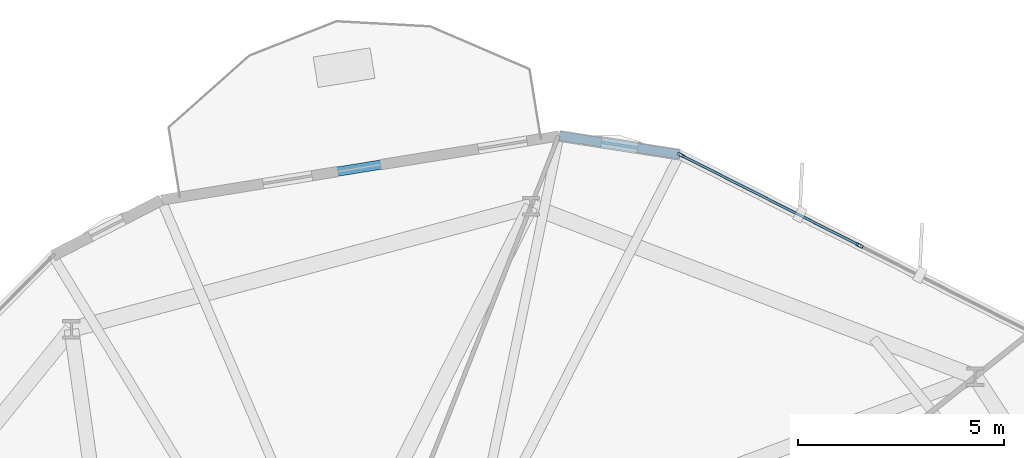
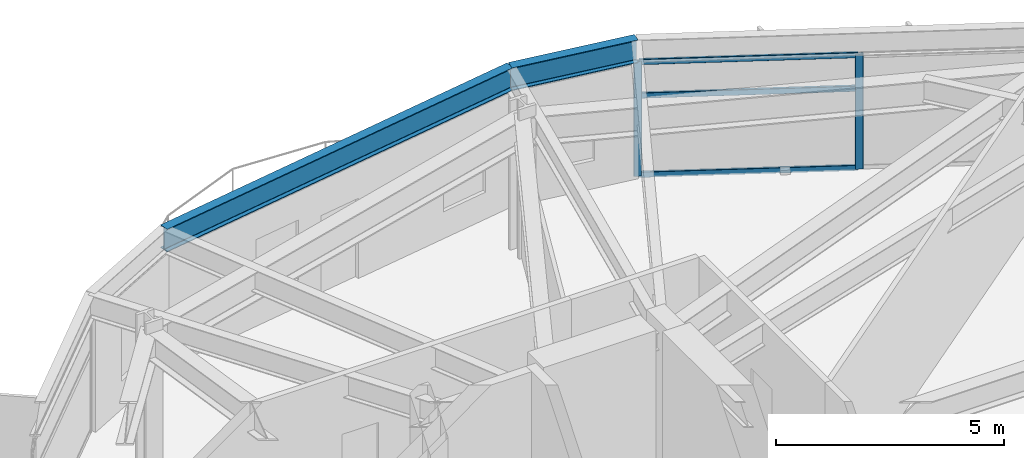
# One storey, part 15 of 23: 5 members, 2 beams, 1 element without a shape of its own.
"""IFC4 building model written with IfcOpenShell, lengths in metres."""

from ifc_helpers import new_model, si_unit, direction, frame, origin, origin_2d, place, context, subcontext, project, spatial, hollow_rectangle, i_section, extrude, material, layer, layer_set, material_profile, profile_set, type_object, element, aggregate, save


model = new_model("IFC4")

# Units and contexts
model_context = context("Model", 3, precision=1e-05, world=origin(), true_north=direction((0.0, 1.0)))
body_context = subcontext(model_context, "Body", "Model", "MODEL_VIEW")
ifc_project = project(units=[si_unit("LENGTHUNIT", "METRE"), si_unit("AREAUNIT", "SQUARE_METRE"), si_unit("VOLUMEUNIT", "CUBIC_METRE"), si_unit("PLANEANGLEUNIT", "RADIAN"), si_unit("MASSUNIT", "GRAM", prefix="KILO")], contexts=[model_context])

# Site, building, storey
site_placement = place(None, origin())
site = spatial("IfcSite", under=ifc_project, at=site_placement, CompositionType="ELEMENT")
building_placement = place(site_placement, origin())
building = spatial("IfcBuilding", under=site, at=building_placement, Name="Soratama Intermodal Tower", CompositionType="ELEMENT")
storey_placement = place(building_placement, frame((0.0, 0.0, 62.60009765625)))
storey = spatial("IfcBuildingStorey", under=building, at=storey_placement, Name="L14", CompositionType="ELEMENT", Elevation=62.60009765625)

# Beams
ifc_material_1 = material(Name="Structural steel ASTM A992 Grade 50", Category="steel")
ifc_material_profile_1 = material_profile(ifc_material_1, i_section(OverallWidth=0.22900390625, OverallDepth=0.612060546875, WebThickness=0.011962890625, FlangeThickness=0.01953125, FilletRadius=0.012939453125, at=origin_2d()), Name="W24X84")
ifc_profile_set_1 = profile_set([ifc_material_profile_1], Name="Structural steel ASTM A992 Grade 50")
beam_type = type_object("IfcBeamType", Name="BM-SPN-W24X84", PredefinedType="SPANDREL", material=ifc_profile_set_1)
beam_1_placement = place(storey_placement, frame((49.596923828125, 44.952880859375, 3.393798828125), z_axis=(-0.988159491353, 0.153430178416, 0.0), x_axis=(-0.153430178416, -0.988159491353, 0.0)))
element("IfcBeam", 1, at=beam_1_placement, inside=storey, type_object=beam_type, Name="BS-L14-CRN02", PredefinedType="SPANDREL", context=body_context, shape_type="SweptSolid", body=[
    extrude(i_section(OverallWidth=0.22900390625, OverallDepth=0.612060546875, WebThickness=0.011962890625, FlangeThickness=0.01953125, FilletRadius=0.012939453125, at=origin_2d()), origin(), (0.0, 0.0, 1.0), 2.966064453125),
])
beam_2_placement = place(storey_placement, frame((46.666015625, 45.407958984375, 3.393798828125), z_axis=(-0.987185352333, -0.159577818442, 0.0), x_axis=(0.159577818442, -0.987185352333, 0.0)))
element("IfcBeam", 2, at=beam_2_placement, inside=storey, type_object=beam_type, Name="BS-L14-F03", PredefinedType="SPANDREL", context=body_context, shape_type="SweptSolid", body=[
    extrude(i_section(OverallWidth=0.22900390625, OverallDepth=0.612060546875, WebThickness=0.011962890625, FlangeThickness=0.01953125, FilletRadius=0.012939453125, at=origin_2d()), origin(), (0.0, 0.0, 1.0), 9.800537109375),
])

# Curtain wall, members
ifc_material_2 = material(Name="Double-glazed aluminium curtain wall", Category="aluminium")
ifc_layer = layer(ifc_material_2, 0.159912109375)
ifc_layer_set = layer_set([ifc_layer], Name="Double-glazed aluminium curtain wall")
curtain_wall_type = type_object("IfcCurtainWallType", Name="CW-SYS-2", PredefinedType="NOTDEFINED", material=ifc_layer_set)
curtain_wall_placement = place(storey_placement, origin())
curtain_wall = element("IfcCurtainWall", 3, at=curtain_wall_placement, inside=storey, type_object=curtain_wall_type, Name="L14 Faceted Curtain Wall F02", PredefinedType="NOTDEFINED")
ifc_material_3 = material(Name="Anodised aluminium AA 6063-T6", Category="aluminium")
ifc_material_profile_2 = material_profile(ifc_material_3, hollow_rectangle(XDim=0.074951171875, YDim=0.179931640625, WallThickness=0.006103515625, InnerFilletRadius=0.006103515625, OuterFilletRadius=0.011962890625, at=origin_2d()), Name="CWM180X75X6")
ifc_profile_set_2 = profile_set([ifc_material_profile_2], Name="Anodised aluminium AA 6063-T6")
member_type_1 = type_object("IfcMemberType", Name="MT-CWM-2", PredefinedType="MULLION", material=ifc_profile_set_2)
member_1_placement = place(storey_placement, frame((53.969970703125, 42.741943359375, 0.0), z_axis=(0.0, 0.0, 1.0), x_axis=(-0.451184697135, -0.892430596221, 0.0)))
member_1 = element("IfcMember", 4, at=member_1_placement, type_object=member_type_1, Name="CW-2 mullion 2", PredefinedType="MULLION", context=body_context, shape_type="SweptSolid", body=[
    extrude(hollow_rectangle(XDim=0.074951171875, YDim=0.179931640625, WallThickness=0.006103515625, InnerFilletRadius=0.006103515625, OuterFilletRadius=0.011962890625, at=origin_2d()), origin(), (0.0, 0.0, 1.0), 3.078857421875),
])
member_2_placement = place(storey_placement, frame((49.623779296875, 44.939208984375, 0.0), z_axis=(0.0, 0.0, 1.0), x_axis=(-0.451184697135, -0.892430596221, 0.0)))
member_2 = element("IfcMember", 5, at=member_2_placement, type_object=member_type_1, Name="CW-2 mullion 3", PredefinedType="MULLION", context=body_context, shape_type="SweptSolid", body=[
    extrude(hollow_rectangle(XDim=0.074951171875, YDim=0.179931640625, WallThickness=0.006103515625, InnerFilletRadius=0.006103515625, OuterFilletRadius=0.011962890625, at=origin_2d()), origin(), (0.0, 0.0, 1.0), 3.078857421875),
])
ifc_material_4 = material(Name="Anodised aluminium AA 6063-T6", Category="aluminium")
ifc_material_profile_3 = material_profile(ifc_material_4, hollow_rectangle(XDim=0.06494140625, YDim=0.14990234375, WallThickness=0.0048828125, InnerFilletRadius=0.0048828125, OuterFilletRadius=0.010009765625, at=origin_2d()), Name="CWT150X65X5")
ifc_profile_set_3 = profile_set([ifc_material_profile_3], Name="Anodised aluminium AA 6063-T6")
member_type_2 = type_object("IfcMemberType", Name="TT-CWT-1", PredefinedType="USERDEFINED", material=ifc_profile_set_3)
member_3_placement = place(storey_placement, frame((53.943115234375, 42.755615234375, 0.02978515625), z_axis=(-0.892428621555, 0.451188602947, 0.0), x_axis=(-0.451188602947, -0.892428621555, 0.0)))
member_3 = element("IfcMember", 6, at=member_3_placement, type_object=member_type_2, Name="CW-2 transom 2.1", ObjectType="TRANSOM", PredefinedType="USERDEFINED", context=body_context, shape_type="SweptSolid", body=[
    extrude(hollow_rectangle(XDim=0.06494140625, YDim=0.14990234375, WallThickness=0.0048828125, InnerFilletRadius=0.0048828125, OuterFilletRadius=0.010009765625, at=origin_2d()), origin(), (0.0, 0.0, 1.0), 4.809814453125),
])
member_4_placement = place(storey_placement, frame((53.943115234375, 42.755615234375, 2.14990234375), z_axis=(-0.892428621555, 0.451188602947, 0.0), x_axis=(-0.451188602947, -0.892428621555, 0.0)))
member_4 = element("IfcMember", 7, at=member_4_placement, type_object=member_type_2, Name="CW-2 transom 2.2", ObjectType="TRANSOM", PredefinedType="USERDEFINED", context=body_context, shape_type="SweptSolid", body=[
    extrude(hollow_rectangle(XDim=0.06494140625, YDim=0.14990234375, WallThickness=0.0048828125, InnerFilletRadius=0.0048828125, OuterFilletRadius=0.010009765625, at=origin_2d()), origin(), (0.0, 0.0, 1.0), 4.809814453125),
])
member_5_placement = place(storey_placement, frame((53.943115234375, 42.755615234375, 3.048828125), z_axis=(-0.892428621555, 0.451188602947, 0.0), x_axis=(-0.451188602947, -0.892428621555, 0.0)))
member_5 = element("IfcMember", 8, at=member_5_placement, type_object=member_type_2, Name="CW-2 transom 2.3", ObjectType="TRANSOM", PredefinedType="USERDEFINED", context=body_context, shape_type="SweptSolid", body=[
    extrude(hollow_rectangle(XDim=0.06494140625, YDim=0.14990234375, WallThickness=0.0048828125, InnerFilletRadius=0.0048828125, OuterFilletRadius=0.010009765625, at=origin_2d()), origin(), (0.0, 0.0, 1.0), 4.809814453125),
])
aggregate(curtain_wall, [member_1, member_2, member_3, member_4, member_5])

save(model, "model.ifc")
